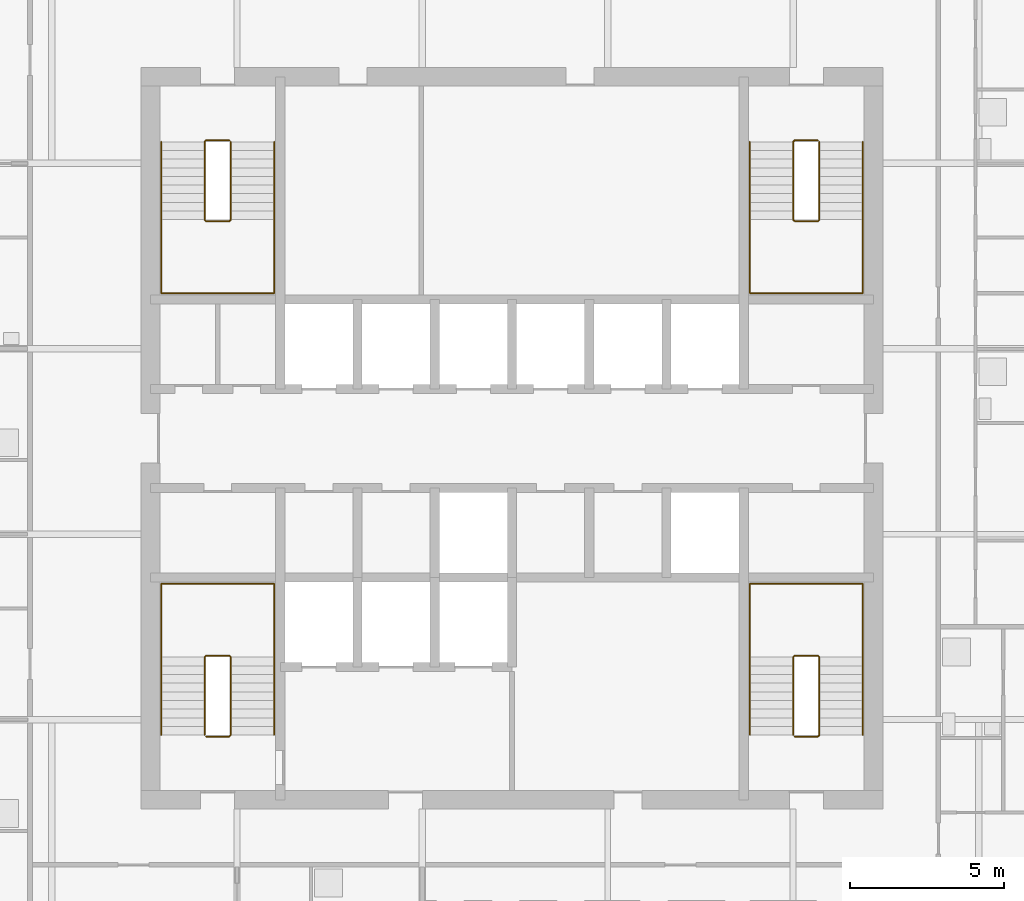
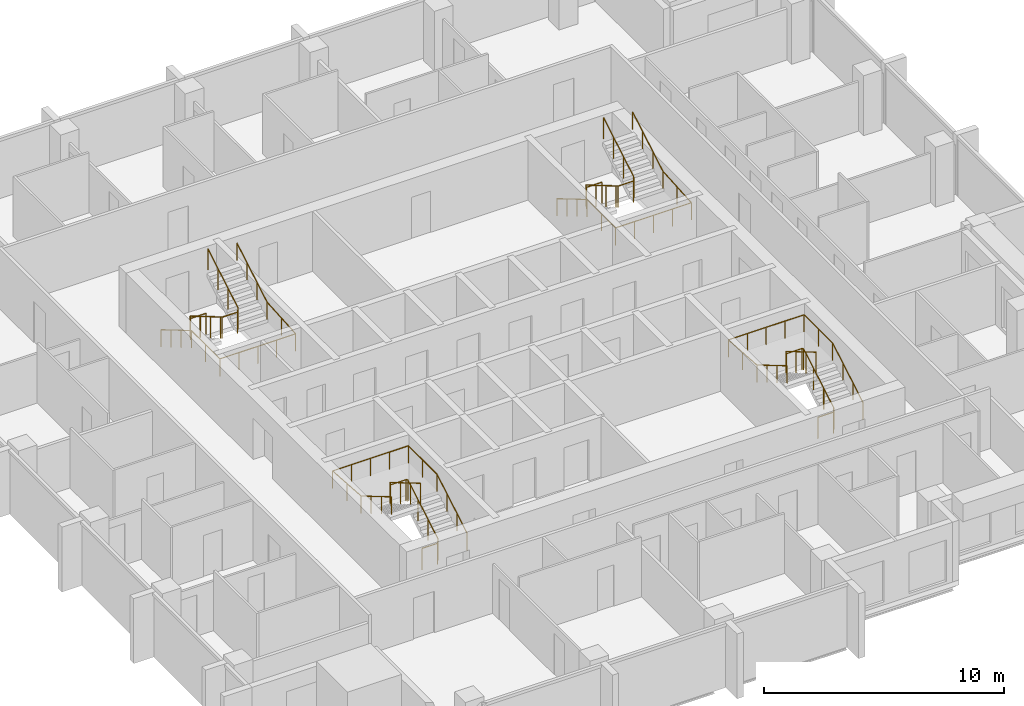
# One storey, part 9 of 10: 8 railings.
"""IFC4 building model written with IfcOpenShell, lengths in metres."""

from ifc_helpers import new_model, si_unit, direction, frame, origin, origin_2d, place, context, subcontext, project, spatial, circle, extrude, material, type_object, element, save


model = new_model("IFC4")

# Units and contexts
model_context = context("Model", 3, precision=1e-05, world=origin(), true_north=direction((0.0, 1.0)))
body_context = subcontext(model_context, "Body", "Model", "MODEL_VIEW")
ifc_project = project(units=[si_unit("LENGTHUNIT", "METRE"), si_unit("AREAUNIT", "SQUARE_METRE"), si_unit("VOLUMEUNIT", "CUBIC_METRE"), si_unit("PLANEANGLEUNIT", "RADIAN"), si_unit("MASSUNIT", "GRAM", prefix="KILO")], contexts=[model_context])

# Site, building, storey
site_placement = place(None, origin())
site = spatial("IfcSite", under=ifc_project, at=site_placement, CompositionType="ELEMENT")
building_placement = place(site_placement, origin())
building = spatial("IfcBuilding", under=site, at=building_placement, Name="Amberfall Residences", CompositionType="ELEMENT")
storey_placement = place(building_placement, frame((0.0, 0.0, 200.199951171875)))
storey = spatial("IfcBuildingStorey", under=building, at=storey_placement, Name="L53", CompositionType="ELEMENT", Elevation=200.199951171875)

# Railings
ifc_material = material(Name="Stainless steel 316", Category="steel")
railing_type_1 = type_object("IfcRailingType", Name="Stair guard 1100", PredefinedType="GUARDRAIL", material=ifc_material)
railing_1_placement = place(storey_placement, frame((64.60009765625, 35.85009765625, 0.0)))
element("IfcRailing", 1, at=railing_1_placement, inside=storey, type_object=railing_type_1, Name="L53 stair 1 guard", PredefinedType="GUARDRAIL", context=body_context, shape_type="SweptSolid", body=[
    extrude(circle(Radius=0.02392578125, at=origin_2d()), frame((0.0, 0.0, 1.076171875), z_axis=(1.0, 0.0, 0.0), x_axis=(0.0, 1.0, 0.0)), (0.0, 0.0, 1.0), 0.75),
    extrude(circle(Radius=0.02392578125, at=origin_2d()), frame((0.75, 0.0, 1.076171875), z_axis=(0.27755538755, 0.27755538755, 0.919742362667), x_axis=(-0.707106781187, 0.707106781187, 0.0)), (0.0, 0.0, 1.0), 0.179443359375),
    extrude(circle(Radius=0.02392578125, at=origin_2d()), frame((0.7998046875, 0.0498046875, 1.2412109375), z_axis=(0.0, 0.86152411907, 0.507716645641), x_axis=(-1.0, 0.0, 0.0)), (0.0, 0.0, 1.0), 2.925048828125),
    extrude(circle(Radius=0.02392578125, at=origin_2d()), frame((0.7998046875, 2.56982421875, 2.72607421875), z_axis=(-0.705375805398, 0.708833529934, 0.0), x_axis=(-0.708833529934, -0.705375805398, 0.0)), (0.0, 0.0, 1.0), 0.070556640625),
    extrude(circle(Radius=0.02392578125, at=origin_2d()), frame((0.75, 2.619873046875, 2.72607421875), z_axis=(-1.0, 0.0, 0.0), x_axis=(0.0, -1.0, 0.0)), (0.0, 0.0, 1.0), 0.75),
    extrude(circle(Radius=0.02392578125, at=origin_2d()), frame((0.0, 2.619873046875, 2.72607421875), z_axis=(-0.279053652268, -0.279053652268, 0.918835196492), x_axis=(0.707106781187, -0.707106781187, 0.0)), (0.0, 0.0, 1.0), 0.179443359375),
    extrude(circle(Radius=0.02392578125, at=origin_2d()), frame((-0.050048828125, 2.56982421875, 2.89111328125), z_axis=(0.0, -0.86152411907, 0.507716645641), x_axis=(1.0, 0.0, 0.0)), (0.0, 0.0, 1.0), 2.925048828125),
    extrude(circle(Radius=0.02099609375, at=origin_2d()), origin(), (0.0, 0.0, 1.0), 1.052001953125),
    extrude(circle(Radius=0.02099609375, at=origin_2d()), frame((0.75, 0.0, 0.0)), (0.0, 0.0, 1.0), 1.052001953125),
    extrude(circle(Radius=0.02099609375, at=origin_2d()), frame((0.7998046875, 0.0498046875, 0.1650390625)), (0.0, 0.0, 1.0), 1.052001953125),
    extrude(circle(Radius=0.02099609375, at=origin_2d()), frame((0.7998046875, 0.889892578125, 0.66015625)), (0.0, 0.0, 1.0), 1.052001953125),
    extrude(circle(Radius=0.02099609375, at=origin_2d()), frame((0.7998046875, 1.729736328125, 1.155029296875)), (0.0, 0.0, 1.0), 1.052001953125),
    extrude(circle(Radius=0.02099609375, at=origin_2d()), frame((0.7998046875, 2.56982421875, 1.650146484375)), (0.0, 0.0, 1.0), 1.052001953125),
    extrude(circle(Radius=0.02099609375, at=origin_2d()), frame((0.75, 2.619873046875, 1.650146484375)), (0.0, 0.0, 1.0), 1.052001953125),
    extrude(circle(Radius=0.02099609375, at=origin_2d()), frame((0.0, 2.619873046875, 1.650146484375)), (0.0, 0.0, 1.0), 1.052001953125),
    extrude(circle(Radius=0.02099609375, at=origin_2d()), frame((-0.050048828125, 2.56982421875, 1.81494140625)), (0.0, 0.0, 1.0), 1.052001953125),
    extrude(circle(Radius=0.02099609375, at=origin_2d()), frame((-0.050048828125, 1.729736328125, 2.31005859375)), (0.0, 0.0, 1.0), 1.052001953125),
    extrude(circle(Radius=0.02099609375, at=origin_2d()), frame((-0.050048828125, 0.889892578125, 2.804931640625)), (0.0, 0.0, 1.0), 1.052001953125),
    extrude(circle(Radius=0.02099609375, at=origin_2d()), frame((-0.050048828125, 0.0498046875, 3.300048828125)), (0.0, 0.0, 1.0), 1.052001953125),
])
railing_2_placement = place(storey_placement, frame((83.64990234375, 35.85009765625, 0.0)))
element("IfcRailing", 2, at=railing_2_placement, inside=storey, type_object=railing_type_1, Name="L53 stair 2 guard", PredefinedType="GUARDRAIL", context=body_context, shape_type="SweptSolid", body=[
    extrude(circle(Radius=0.02392578125, at=origin_2d()), frame((0.0, 0.0, 1.076171875), z_axis=(1.0, 0.0, 0.0), x_axis=(0.0, 1.0, 0.0)), (0.0, 0.0, 1.0), 0.75),
    extrude(circle(Radius=0.02392578125, at=origin_2d()), frame((0.75, 0.0, 1.076171875), z_axis=(0.278810427259, 0.277450376394, 0.919394384522), x_axis=(-0.705375805398, 0.708833529934, 0.0)), (0.0, 0.0, 1.0), 0.179443359375),
    extrude(circle(Radius=0.02392578125, at=origin_2d()), frame((0.800048828125, 0.0498046875, 1.2412109375), z_axis=(0.0, 0.86152411907, 0.507716645641), x_axis=(-1.0, 0.0, 0.0)), (0.0, 0.0, 1.0), 2.925048828125),
    extrude(circle(Radius=0.02392578125, at=origin_2d()), frame((0.800048828125, 2.56982421875, 2.72607421875), z_axis=(-0.707106781187, 0.707106781187, 0.0), x_axis=(-0.707106781187, -0.707106781187, 0.0)), (0.0, 0.0, 1.0), 0.07080078125),
    extrude(circle(Radius=0.02392578125, at=origin_2d()), frame((0.75, 2.619873046875, 2.72607421875), z_axis=(-1.0, 0.0, 0.0), x_axis=(0.0, -1.0, 0.0)), (0.0, 0.0, 1.0), 0.75),
    extrude(circle(Radius=0.02392578125, at=origin_2d()), frame((0.0, 2.619873046875, 2.72607421875), z_axis=(-0.277797701265, -0.279159454702, 0.919183570361), x_axis=(0.708833529934, -0.705375805398, 0.0)), (0.0, 0.0, 1.0), 0.17919921875),
    extrude(circle(Radius=0.02392578125, at=origin_2d()), frame((-0.0498046875, 2.56982421875, 2.89111328125), z_axis=(0.0, -0.86152411907, 0.507716645641), x_axis=(1.0, 0.0, 0.0)), (0.0, 0.0, 1.0), 2.925048828125),
    extrude(circle(Radius=0.02099609375, at=origin_2d()), origin(), (0.0, 0.0, 1.0), 1.052001953125),
    extrude(circle(Radius=0.02099609375, at=origin_2d()), frame((0.75, 0.0, 0.0)), (0.0, 0.0, 1.0), 1.052001953125),
    extrude(circle(Radius=0.02099609375, at=origin_2d()), frame((0.800048828125, 0.0498046875, 0.1650390625)), (0.0, 0.0, 1.0), 1.052001953125),
    extrude(circle(Radius=0.02099609375, at=origin_2d()), frame((0.800048828125, 0.889892578125, 0.66015625)), (0.0, 0.0, 1.0), 1.052001953125),
    extrude(circle(Radius=0.02099609375, at=origin_2d()), frame((0.800048828125, 1.729736328125, 1.155029296875)), (0.0, 0.0, 1.0), 1.052001953125),
    extrude(circle(Radius=0.02099609375, at=origin_2d()), frame((0.800048828125, 2.56982421875, 1.650146484375)), (0.0, 0.0, 1.0), 1.052001953125),
    extrude(circle(Radius=0.02099609375, at=origin_2d()), frame((0.75, 2.619873046875, 1.650146484375)), (0.0, 0.0, 1.0), 1.052001953125),
    extrude(circle(Radius=0.02099609375, at=origin_2d()), frame((0.0, 2.619873046875, 1.650146484375)), (0.0, 0.0, 1.0), 1.052001953125),
    extrude(circle(Radius=0.02099609375, at=origin_2d()), frame((-0.0498046875, 2.56982421875, 1.81494140625)), (0.0, 0.0, 1.0), 1.052001953125),
    extrude(circle(Radius=0.02099609375, at=origin_2d()), frame((-0.0498046875, 1.729736328125, 2.31005859375)), (0.0, 0.0, 1.0), 1.052001953125),
    extrude(circle(Radius=0.02099609375, at=origin_2d()), frame((-0.0498046875, 0.889892578125, 2.804931640625)), (0.0, 0.0, 1.0), 1.052001953125),
    extrude(circle(Radius=0.02099609375, at=origin_2d()), frame((-0.0498046875, 0.0498046875, 3.300048828125)), (0.0, 0.0, 1.0), 1.052001953125),
])
railing_3_placement = place(storey_placement, frame((84.39990234375, 55.14990234375, 0.0)))
element("IfcRailing", 3, at=railing_3_placement, inside=storey, type_object=railing_type_1, Name="L53 stair 3 guard", PredefinedType="GUARDRAIL", context=body_context, shape_type="SweptSolid", body=[
    extrude(circle(Radius=0.02392578125, at=origin_2d()), frame((0.0, 0.0, 1.076171875), z_axis=(-1.0, 0.0, 0.0), x_axis=(0.0, -1.0, 0.0)), (0.0, 0.0, 1.0), 0.75),
    extrude(circle(Radius=0.02392578125, at=origin_2d()), frame((-0.75, 0.0, 1.076171875), z_axis=(-0.27755538755, -0.27755538755, 0.919742362667), x_axis=(0.707106781187, -0.707106781187, 0.0)), (0.0, 0.0, 1.0), 0.179443359375),
    extrude(circle(Radius=0.02392578125, at=origin_2d()), frame((-0.7998046875, -0.0498046875, 1.2412109375), z_axis=(0.0, -0.86152411907, 0.507716645641), x_axis=(1.0, 0.0, 0.0)), (0.0, 0.0, 1.0), 2.925048828125),
    extrude(circle(Radius=0.02392578125, at=origin_2d()), frame((-0.7998046875, -2.56982421875, 2.72607421875), z_axis=(0.705375805398, -0.708833529934, 0.0), x_axis=(0.708833529934, 0.705375805398, 0.0)), (0.0, 0.0, 1.0), 0.070556640625),
    extrude(circle(Radius=0.02392578125, at=origin_2d()), frame((-0.75, -2.619873046875, 2.72607421875), z_axis=(1.0, 0.0, 0.0), x_axis=(0.0, 1.0, 0.0)), (0.0, 0.0, 1.0), 0.75),
    extrude(circle(Radius=0.02392578125, at=origin_2d()), frame((0.0, -2.619873046875, 2.72607421875), z_axis=(0.279053652268, 0.279053652268, 0.918835196492), x_axis=(-0.707106781187, 0.707106781187, 0.0)), (0.0, 0.0, 1.0), 0.179443359375),
    extrude(circle(Radius=0.02392578125, at=origin_2d()), frame((0.050048828125, -2.56982421875, 2.89111328125), z_axis=(0.0, 0.86152411907, 0.507716645641), x_axis=(-1.0, 0.0, 0.0)), (0.0, 0.0, 1.0), 2.925048828125),
    extrude(circle(Radius=0.02099609375, at=origin_2d()), origin(), (0.0, 0.0, 1.0), 1.052001953125),
    extrude(circle(Radius=0.02099609375, at=origin_2d()), frame((-0.75, 0.0, 0.0)), (0.0, 0.0, 1.0), 1.052001953125),
    extrude(circle(Radius=0.02099609375, at=origin_2d()), frame((-0.7998046875, -0.0498046875, 0.1650390625)), (0.0, 0.0, 1.0), 1.052001953125),
    extrude(circle(Radius=0.02099609375, at=origin_2d()), frame((-0.7998046875, -0.889892578125, 0.66015625)), (0.0, 0.0, 1.0), 1.052001953125),
    extrude(circle(Radius=0.02099609375, at=origin_2d()), frame((-0.7998046875, -1.729736328125, 1.155029296875)), (0.0, 0.0, 1.0), 1.052001953125),
    extrude(circle(Radius=0.02099609375, at=origin_2d()), frame((-0.7998046875, -2.56982421875, 1.650146484375)), (0.0, 0.0, 1.0), 1.052001953125),
    extrude(circle(Radius=0.02099609375, at=origin_2d()), frame((-0.75, -2.619873046875, 1.650146484375)), (0.0, 0.0, 1.0), 1.052001953125),
    extrude(circle(Radius=0.02099609375, at=origin_2d()), frame((0.0, -2.619873046875, 1.650146484375)), (0.0, 0.0, 1.0), 1.052001953125),
    extrude(circle(Radius=0.02099609375, at=origin_2d()), frame((0.050048828125, -2.56982421875, 1.81494140625)), (0.0, 0.0, 1.0), 1.052001953125),
    extrude(circle(Radius=0.02099609375, at=origin_2d()), frame((0.050048828125, -1.729736328125, 2.31005859375)), (0.0, 0.0, 1.0), 1.052001953125),
    extrude(circle(Radius=0.02099609375, at=origin_2d()), frame((0.050048828125, -0.889892578125, 2.804931640625)), (0.0, 0.0, 1.0), 1.052001953125),
    extrude(circle(Radius=0.02099609375, at=origin_2d()), frame((0.050048828125, -0.0498046875, 3.300048828125)), (0.0, 0.0, 1.0), 1.052001953125),
])
railing_4_placement = place(storey_placement, frame((65.35009765625, 55.14990234375, 0.0)))
element("IfcRailing", 4, at=railing_4_placement, inside=storey, type_object=railing_type_1, Name="L53 stair 4 guard", PredefinedType="GUARDRAIL", context=body_context, shape_type="SweptSolid", body=[
    extrude(circle(Radius=0.02392578125, at=origin_2d()), frame((0.0, 0.0, 1.076171875), z_axis=(-1.0, 0.0, 0.0), x_axis=(0.0, -1.0, 0.0)), (0.0, 0.0, 1.0), 0.75),
    extrude(circle(Radius=0.02392578125, at=origin_2d()), frame((-0.75, 0.0, 1.076171875), z_axis=(-0.278810427259, -0.277450376394, 0.919394384522), x_axis=(0.705375805398, -0.708833529934, 0.0)), (0.0, 0.0, 1.0), 0.179443359375),
    extrude(circle(Radius=0.02392578125, at=origin_2d()), frame((-0.800048828125, -0.0498046875, 1.2412109375), z_axis=(0.0, -0.86152411907, 0.507716645641), x_axis=(1.0, 0.0, 0.0)), (0.0, 0.0, 1.0), 2.925048828125),
    extrude(circle(Radius=0.02392578125, at=origin_2d()), frame((-0.800048828125, -2.56982421875, 2.72607421875), z_axis=(0.707106781187, -0.707106781187, 0.0), x_axis=(0.707106781187, 0.707106781187, 0.0)), (0.0, 0.0, 1.0), 0.07080078125),
    extrude(circle(Radius=0.02392578125, at=origin_2d()), frame((-0.75, -2.619873046875, 2.72607421875), z_axis=(1.0, 0.0, 0.0), x_axis=(0.0, 1.0, 0.0)), (0.0, 0.0, 1.0), 0.75),
    extrude(circle(Radius=0.02392578125, at=origin_2d()), frame((0.0, -2.619873046875, 2.72607421875), z_axis=(0.277797701265, 0.279159454702, 0.919183570361), x_axis=(-0.708833529934, 0.705375805398, 0.0)), (0.0, 0.0, 1.0), 0.17919921875),
    extrude(circle(Radius=0.02392578125, at=origin_2d()), frame((0.0498046875, -2.56982421875, 2.89111328125), z_axis=(0.0, 0.86152411907, 0.507716645641), x_axis=(-1.0, 0.0, 0.0)), (0.0, 0.0, 1.0), 2.925048828125),
    extrude(circle(Radius=0.02099609375, at=origin_2d()), origin(), (0.0, 0.0, 1.0), 1.052001953125),
    extrude(circle(Radius=0.02099609375, at=origin_2d()), frame((-0.75, 0.0, 0.0)), (0.0, 0.0, 1.0), 1.052001953125),
    extrude(circle(Radius=0.02099609375, at=origin_2d()), frame((-0.800048828125, -0.0498046875, 0.1650390625)), (0.0, 0.0, 1.0), 1.052001953125),
    extrude(circle(Radius=0.02099609375, at=origin_2d()), frame((-0.800048828125, -0.889892578125, 0.66015625)), (0.0, 0.0, 1.0), 1.052001953125),
    extrude(circle(Radius=0.02099609375, at=origin_2d()), frame((-0.800048828125, -1.729736328125, 1.155029296875)), (0.0, 0.0, 1.0), 1.052001953125),
    extrude(circle(Radius=0.02099609375, at=origin_2d()), frame((-0.800048828125, -2.56982421875, 1.650146484375)), (0.0, 0.0, 1.0), 1.052001953125),
    extrude(circle(Radius=0.02099609375, at=origin_2d()), frame((-0.75, -2.619873046875, 1.650146484375)), (0.0, 0.0, 1.0), 1.052001953125),
    extrude(circle(Radius=0.02099609375, at=origin_2d()), frame((0.0, -2.619873046875, 1.650146484375)), (0.0, 0.0, 1.0), 1.052001953125),
    extrude(circle(Radius=0.02099609375, at=origin_2d()), frame((0.0498046875, -2.56982421875, 1.81494140625)), (0.0, 0.0, 1.0), 1.052001953125),
    extrude(circle(Radius=0.02099609375, at=origin_2d()), frame((0.0498046875, -1.729736328125, 2.31005859375)), (0.0, 0.0, 1.0), 1.052001953125),
    extrude(circle(Radius=0.02099609375, at=origin_2d()), frame((0.0498046875, -0.889892578125, 2.804931640625)), (0.0, 0.0, 1.0), 1.052001953125),
    extrude(circle(Radius=0.02099609375, at=origin_2d()), frame((0.0498046875, -0.0498046875, 3.300048828125)), (0.0, 0.0, 1.0), 1.052001953125),
])
railing_type_2 = type_object("IfcRailingType", Name="Stair handrail 900", PredefinedType="HANDRAIL", material=ifc_material)
railing_5_placement = place(storey_placement, frame((66.800048828125, 35.89990234375, 0.1650390625)))
element("IfcRailing", 5, at=railing_5_placement, inside=storey, type_object=railing_type_2, Name="L53 stair 1 handrail", PredefinedType="HANDRAIL", context=body_context, shape_type="SweptSolid", body=[
    extrude(circle(Radius=0.02392578125, at=origin_2d()), frame((0.0, 0.0, 0.8759765625), z_axis=(0.0, 0.86152411907, 0.507716645641), x_axis=(-1.0, 0.0, 0.0)), (0.0, 0.0, 1.0), 2.925048828125),
    extrude(circle(Radius=0.02392578125, at=origin_2d()), frame((0.0, 2.52001953125, 2.36083984375), z_axis=(0.0, 1.0, 0.0), x_axis=(-1.0, 0.0, 0.0)), (0.0, 0.0, 1.0), 2.380126953125),
    extrude(circle(Radius=0.02392578125, at=origin_2d()), frame((0.0, 4.900146484375, 2.36083984375), z_axis=(-1.0, 0.0, 0.0), x_axis=(0.0, -1.0, 0.0)), (0.0, 0.0, 1.0), 3.650146484375),
    extrude(circle(Radius=0.02392578125, at=origin_2d()), frame((-3.650146484375, 4.900146484375, 2.36083984375), z_axis=(0.0, -0.997611642348, 0.069072505753), x_axis=(1.0, 0.0, 0.0)), (0.0, 0.0, 1.0), 2.3857421875),
    extrude(circle(Radius=0.02392578125, at=origin_2d()), frame((-3.650146484375, 2.52001953125, 2.52587890625), z_axis=(0.0, -0.86152411907, 0.507716645641), x_axis=(1.0, 0.0, 0.0)), (0.0, 0.0, 1.0), 2.925048828125),
    extrude(circle(Radius=0.02099609375, at=origin_2d()), origin(), (0.0, 0.0, 1.0), 0.851806640625),
    extrude(circle(Radius=0.02099609375, at=origin_2d()), frame((0.0, 0.840087890625, 0.4951171875)), (0.0, 0.0, 1.0), 0.851806640625),
    extrude(circle(Radius=0.02099609375, at=origin_2d()), frame((0.0, 1.679931640625, 0.989990234375)), (0.0, 0.0, 1.0), 0.851806640625),
    extrude(circle(Radius=0.02099609375, at=origin_2d()), frame((0.0, 2.52001953125, 1.485107421875)), (0.0, 0.0, 1.0), 0.851806640625),
    extrude(circle(Radius=0.02099609375, at=origin_2d()), frame((0.0, 3.7099609375, 1.485107421875)), (0.0, 0.0, 1.0), 0.851806640625),
    extrude(circle(Radius=0.02099609375, at=origin_2d()), frame((0.0, 4.900146484375, 1.485107421875)), (0.0, 0.0, 1.0), 0.851806640625),
    extrude(circle(Radius=0.02099609375, at=origin_2d()), frame((-0.91259765625, 4.900146484375, 1.485107421875)), (0.0, 0.0, 1.0), 0.851806640625),
    extrude(circle(Radius=0.02099609375, at=origin_2d()), frame((-1.8251953125, 4.900146484375, 1.485107421875)), (0.0, 0.0, 1.0), 0.851806640625),
    extrude(circle(Radius=0.02099609375, at=origin_2d()), frame((-2.737548828125, 4.900146484375, 1.485107421875)), (0.0, 0.0, 1.0), 0.851806640625),
    extrude(circle(Radius=0.02099609375, at=origin_2d()), frame((-3.650146484375, 4.900146484375, 1.485107421875)), (0.0, 0.0, 1.0), 0.851806640625),
    extrude(circle(Radius=0.02099609375, at=origin_2d()), frame((-3.650146484375, 3.7099609375, 1.5673828125)), (0.0, 0.0, 1.0), 0.851806640625),
    extrude(circle(Radius=0.02099609375, at=origin_2d()), frame((-3.650146484375, 2.52001953125, 1.64990234375)), (0.0, 0.0, 1.0), 0.851806640625),
    extrude(circle(Radius=0.02099609375, at=origin_2d()), frame((-3.650146484375, 1.679931640625, 2.14501953125)), (0.0, 0.0, 1.0), 0.851806640625),
    extrude(circle(Radius=0.02099609375, at=origin_2d()), frame((-3.650146484375, 0.840087890625, 2.639892578125)), (0.0, 0.0, 1.0), 0.851806640625),
    extrude(circle(Radius=0.02099609375, at=origin_2d()), frame((-3.650146484375, 0.0, 3.135009765625)), (0.0, 0.0, 1.0), 0.851806640625),
])
railing_6_placement = place(storey_placement, frame((85.85009765625, 35.89990234375, 0.1650390625)))
element("IfcRailing", 6, at=railing_6_placement, inside=storey, type_object=railing_type_2, Name="L53 stair 2 handrail", PredefinedType="HANDRAIL", context=body_context, shape_type="SweptSolid", body=[
    extrude(circle(Radius=0.02392578125, at=origin_2d()), frame((0.0, 0.0, 0.8759765625), z_axis=(0.0, 0.86152411907, 0.507716645641), x_axis=(-1.0, 0.0, 0.0)), (0.0, 0.0, 1.0), 2.925048828125),
    extrude(circle(Radius=0.02392578125, at=origin_2d()), frame((0.0, 2.52001953125, 2.36083984375), z_axis=(0.0, 1.0, 0.0), x_axis=(-1.0, 0.0, 0.0)), (0.0, 0.0, 1.0), 2.380126953125),
    extrude(circle(Radius=0.02392578125, at=origin_2d()), frame((0.0, 4.900146484375, 2.36083984375), z_axis=(-1.0, 0.0, 0.0), x_axis=(0.0, -1.0, 0.0)), (0.0, 0.0, 1.0), 3.650146484375),
    extrude(circle(Radius=0.02392578125, at=origin_2d()), frame((-3.650146484375, 4.900146484375, 2.36083984375), z_axis=(0.0, -0.997611642348, 0.069072505753), x_axis=(1.0, 0.0, 0.0)), (0.0, 0.0, 1.0), 2.3857421875),
    extrude(circle(Radius=0.02392578125, at=origin_2d()), frame((-3.650146484375, 2.52001953125, 2.52587890625), z_axis=(0.0, -0.86152411907, 0.507716645641), x_axis=(1.0, 0.0, 0.0)), (0.0, 0.0, 1.0), 2.925048828125),
    extrude(circle(Radius=0.02099609375, at=origin_2d()), origin(), (0.0, 0.0, 1.0), 0.851806640625),
    extrude(circle(Radius=0.02099609375, at=origin_2d()), frame((0.0, 0.840087890625, 0.4951171875)), (0.0, 0.0, 1.0), 0.851806640625),
    extrude(circle(Radius=0.02099609375, at=origin_2d()), frame((0.0, 1.679931640625, 0.989990234375)), (0.0, 0.0, 1.0), 0.851806640625),
    extrude(circle(Radius=0.02099609375, at=origin_2d()), frame((0.0, 2.52001953125, 1.485107421875)), (0.0, 0.0, 1.0), 0.851806640625),
    extrude(circle(Radius=0.02099609375, at=origin_2d()), frame((0.0, 3.7099609375, 1.485107421875)), (0.0, 0.0, 1.0), 0.851806640625),
    extrude(circle(Radius=0.02099609375, at=origin_2d()), frame((0.0, 4.900146484375, 1.485107421875)), (0.0, 0.0, 1.0), 0.851806640625),
    extrude(circle(Radius=0.02099609375, at=origin_2d()), frame((-0.91259765625, 4.900146484375, 1.485107421875)), (0.0, 0.0, 1.0), 0.851806640625),
    extrude(circle(Radius=0.02099609375, at=origin_2d()), frame((-1.8251953125, 4.900146484375, 1.485107421875)), (0.0, 0.0, 1.0), 0.851806640625),
    extrude(circle(Radius=0.02099609375, at=origin_2d()), frame((-2.737548828125, 4.900146484375, 1.485107421875)), (0.0, 0.0, 1.0), 0.851806640625),
    extrude(circle(Radius=0.02099609375, at=origin_2d()), frame((-3.650146484375, 4.900146484375, 1.485107421875)), (0.0, 0.0, 1.0), 0.851806640625),
    extrude(circle(Radius=0.02099609375, at=origin_2d()), frame((-3.650146484375, 3.7099609375, 1.5673828125)), (0.0, 0.0, 1.0), 0.851806640625),
    extrude(circle(Radius=0.02099609375, at=origin_2d()), frame((-3.650146484375, 2.52001953125, 1.64990234375)), (0.0, 0.0, 1.0), 0.851806640625),
    extrude(circle(Radius=0.02099609375, at=origin_2d()), frame((-3.650146484375, 1.679931640625, 2.14501953125)), (0.0, 0.0, 1.0), 0.851806640625),
    extrude(circle(Radius=0.02099609375, at=origin_2d()), frame((-3.650146484375, 0.840087890625, 2.639892578125)), (0.0, 0.0, 1.0), 0.851806640625),
    extrude(circle(Radius=0.02099609375, at=origin_2d()), frame((-3.650146484375, 0.0, 3.135009765625)), (0.0, 0.0, 1.0), 0.851806640625),
])
railing_7_placement = place(storey_placement, frame((82.199951171875, 55.10009765625, 0.1650390625)))
element("IfcRailing", 7, at=railing_7_placement, inside=storey, type_object=railing_type_2, Name="L53 stair 3 handrail", PredefinedType="HANDRAIL", context=body_context, shape_type="SweptSolid", body=[
    extrude(circle(Radius=0.02392578125, at=origin_2d()), frame((0.0, 0.0, 0.8759765625), z_axis=(0.0, -0.86152411907, 0.507716645641), x_axis=(1.0, 0.0, 0.0)), (0.0, 0.0, 1.0), 2.925048828125),
    extrude(circle(Radius=0.02392578125, at=origin_2d()), frame((0.0, -2.52001953125, 2.36083984375), z_axis=(0.0, -1.0, 0.0), x_axis=(1.0, 0.0, 0.0)), (0.0, 0.0, 1.0), 2.380126953125),
    extrude(circle(Radius=0.02392578125, at=origin_2d()), frame((0.0, -4.900146484375, 2.36083984375), z_axis=(1.0, 0.0, 0.0), x_axis=(0.0, 1.0, 0.0)), (0.0, 0.0, 1.0), 3.650146484375),
    extrude(circle(Radius=0.02392578125, at=origin_2d()), frame((3.650146484375, -4.900146484375, 2.36083984375), z_axis=(0.0, 0.997611642348, 0.069072505753), x_axis=(-1.0, 0.0, 0.0)), (0.0, 0.0, 1.0), 2.3857421875),
    extrude(circle(Radius=0.02392578125, at=origin_2d()), frame((3.650146484375, -2.52001953125, 2.52587890625), z_axis=(0.0, 0.86152411907, 0.507716645641), x_axis=(-1.0, 0.0, 0.0)), (0.0, 0.0, 1.0), 2.925048828125),
    extrude(circle(Radius=0.02099609375, at=origin_2d()), origin(), (0.0, 0.0, 1.0), 0.851806640625),
    extrude(circle(Radius=0.02099609375, at=origin_2d()), frame((0.0, -0.840087890625, 0.4951171875)), (0.0, 0.0, 1.0), 0.851806640625),
    extrude(circle(Radius=0.02099609375, at=origin_2d()), frame((0.0, -1.679931640625, 0.989990234375)), (0.0, 0.0, 1.0), 0.851806640625),
    extrude(circle(Radius=0.02099609375, at=origin_2d()), frame((0.0, -2.52001953125, 1.485107421875)), (0.0, 0.0, 1.0), 0.851806640625),
    extrude(circle(Radius=0.02099609375, at=origin_2d()), frame((0.0, -3.7099609375, 1.485107421875)), (0.0, 0.0, 1.0), 0.851806640625),
    extrude(circle(Radius=0.02099609375, at=origin_2d()), frame((0.0, -4.900146484375, 1.485107421875)), (0.0, 0.0, 1.0), 0.851806640625),
    extrude(circle(Radius=0.02099609375, at=origin_2d()), frame((0.91259765625, -4.900146484375, 1.485107421875)), (0.0, 0.0, 1.0), 0.851806640625),
    extrude(circle(Radius=0.02099609375, at=origin_2d()), frame((1.8251953125, -4.900146484375, 1.485107421875)), (0.0, 0.0, 1.0), 0.851806640625),
    extrude(circle(Radius=0.02099609375, at=origin_2d()), frame((2.737548828125, -4.900146484375, 1.485107421875)), (0.0, 0.0, 1.0), 0.851806640625),
    extrude(circle(Radius=0.02099609375, at=origin_2d()), frame((3.650146484375, -4.900146484375, 1.485107421875)), (0.0, 0.0, 1.0), 0.851806640625),
    extrude(circle(Radius=0.02099609375, at=origin_2d()), frame((3.650146484375, -3.7099609375, 1.5673828125)), (0.0, 0.0, 1.0), 0.851806640625),
    extrude(circle(Radius=0.02099609375, at=origin_2d()), frame((3.650146484375, -2.52001953125, 1.64990234375)), (0.0, 0.0, 1.0), 0.851806640625),
    extrude(circle(Radius=0.02099609375, at=origin_2d()), frame((3.650146484375, -1.679931640625, 2.14501953125)), (0.0, 0.0, 1.0), 0.851806640625),
    extrude(circle(Radius=0.02099609375, at=origin_2d()), frame((3.650146484375, -0.840087890625, 2.639892578125)), (0.0, 0.0, 1.0), 0.851806640625),
    extrude(circle(Radius=0.02099609375, at=origin_2d()), frame((3.650146484375, 0.0, 3.135009765625)), (0.0, 0.0, 1.0), 0.851806640625),
])
railing_8_placement = place(storey_placement, frame((63.14990234375, 55.10009765625, 0.1650390625)))
element("IfcRailing", 8, at=railing_8_placement, inside=storey, type_object=railing_type_2, Name="L53 stair 4 handrail", PredefinedType="HANDRAIL", context=body_context, shape_type="SweptSolid", body=[
    extrude(circle(Radius=0.02392578125, at=origin_2d()), frame((0.0, 0.0, 0.8759765625), z_axis=(0.0, -0.86152411907, 0.507716645641), x_axis=(1.0, 0.0, 0.0)), (0.0, 0.0, 1.0), 2.925048828125),
    extrude(circle(Radius=0.02392578125, at=origin_2d()), frame((0.0, -2.52001953125, 2.36083984375), z_axis=(0.0, -1.0, 0.0), x_axis=(1.0, 0.0, 0.0)), (0.0, 0.0, 1.0), 2.380126953125),
    extrude(circle(Radius=0.02392578125, at=origin_2d()), frame((0.0, -4.900146484375, 2.36083984375), z_axis=(1.0, 0.0, 0.0), x_axis=(0.0, 1.0, 0.0)), (0.0, 0.0, 1.0), 3.650146484375),
    extrude(circle(Radius=0.02392578125, at=origin_2d()), frame((3.650146484375, -4.900146484375, 2.36083984375), z_axis=(0.0, 0.997611642348, 0.069072505753), x_axis=(-1.0, 0.0, 0.0)), (0.0, 0.0, 1.0), 2.3857421875),
    extrude(circle(Radius=0.02392578125, at=origin_2d()), frame((3.650146484375, -2.52001953125, 2.52587890625), z_axis=(0.0, 0.86152411907, 0.507716645641), x_axis=(-1.0, 0.0, 0.0)), (0.0, 0.0, 1.0), 2.925048828125),
    extrude(circle(Radius=0.02099609375, at=origin_2d()), origin(), (0.0, 0.0, 1.0), 0.851806640625),
    extrude(circle(Radius=0.02099609375, at=origin_2d()), frame((0.0, -0.840087890625, 0.4951171875)), (0.0, 0.0, 1.0), 0.851806640625),
    extrude(circle(Radius=0.02099609375, at=origin_2d()), frame((0.0, -1.679931640625, 0.989990234375)), (0.0, 0.0, 1.0), 0.851806640625),
    extrude(circle(Radius=0.02099609375, at=origin_2d()), frame((0.0, -2.52001953125, 1.485107421875)), (0.0, 0.0, 1.0), 0.851806640625),
    extrude(circle(Radius=0.02099609375, at=origin_2d()), frame((0.0, -3.7099609375, 1.485107421875)), (0.0, 0.0, 1.0), 0.851806640625),
    extrude(circle(Radius=0.02099609375, at=origin_2d()), frame((0.0, -4.900146484375, 1.485107421875)), (0.0, 0.0, 1.0), 0.851806640625),
    extrude(circle(Radius=0.02099609375, at=origin_2d()), frame((0.91259765625, -4.900146484375, 1.485107421875)), (0.0, 0.0, 1.0), 0.851806640625),
    extrude(circle(Radius=0.02099609375, at=origin_2d()), frame((1.8251953125, -4.900146484375, 1.485107421875)), (0.0, 0.0, 1.0), 0.851806640625),
    extrude(circle(Radius=0.02099609375, at=origin_2d()), frame((2.737548828125, -4.900146484375, 1.485107421875)), (0.0, 0.0, 1.0), 0.851806640625),
    extrude(circle(Radius=0.02099609375, at=origin_2d()), frame((3.650146484375, -4.900146484375, 1.485107421875)), (0.0, 0.0, 1.0), 0.851806640625),
    extrude(circle(Radius=0.02099609375, at=origin_2d()), frame((3.650146484375, -3.7099609375, 1.5673828125)), (0.0, 0.0, 1.0), 0.851806640625),
    extrude(circle(Radius=0.02099609375, at=origin_2d()), frame((3.650146484375, -2.52001953125, 1.64990234375)), (0.0, 0.0, 1.0), 0.851806640625),
    extrude(circle(Radius=0.02099609375, at=origin_2d()), frame((3.650146484375, -1.679931640625, 2.14501953125)), (0.0, 0.0, 1.0), 0.851806640625),
    extrude(circle(Radius=0.02099609375, at=origin_2d()), frame((3.650146484375, -0.840087890625, 2.639892578125)), (0.0, 0.0, 1.0), 0.851806640625),
    extrude(circle(Radius=0.02099609375, at=origin_2d()), frame((3.650146484375, 0.0, 3.135009765625)), (0.0, 0.0, 1.0), 0.851806640625),
])

save(model, "model.ifc")
